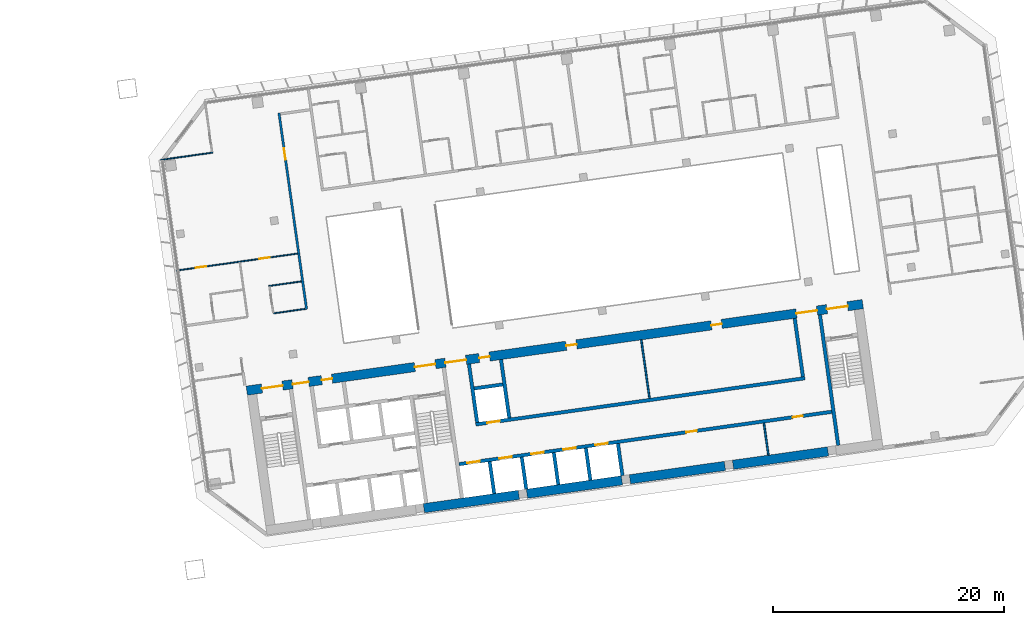
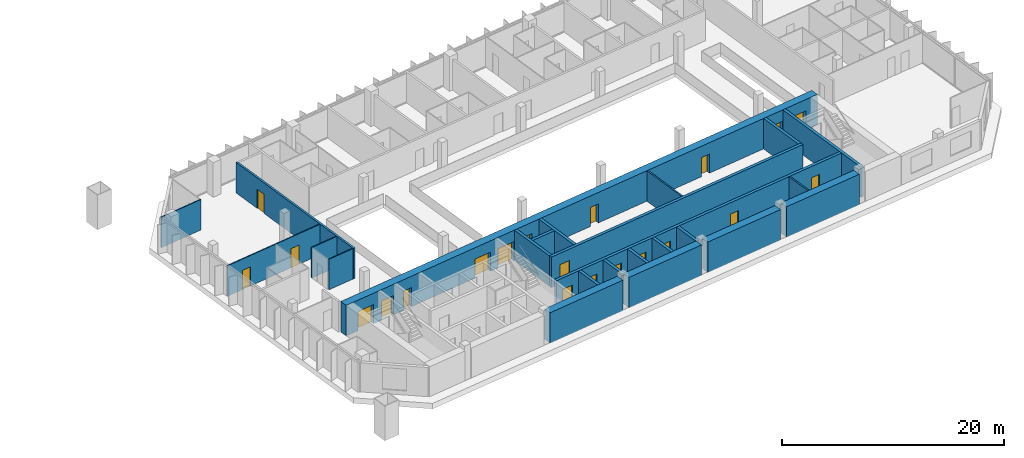
# One storey, part 19 of 24: 24 walls, 21 doors, 21 openings.
"""IFC4 building model written with IfcOpenShell, lengths in metres."""

import ifcopenshell
import ifcopenshell.guid

model = None  # the IFC model being written
_history = None  # IfcOwnerHistory: only IFC2X3 demands one
_inside = {}  # id of a spatial element -> (the spatial element, [elements in it])
_under = {}  # id of a project, library or spatial element -> (it, [spatial elements below it])
_declared = {}  # id of a project -> (the project, [libraries it declares])
_typed = {}  # id of a type object -> (the type object, [elements of that type])
_made_of = {}  # id of a material, layer set ... -> (it, [elements and type objects made of it])


def new_model(schema):
    """Start an empty IFC model of exactly this schema.

    Asked for "IFC4X3", IfcOpenShell would pick the latest addendum, in which some entities
    have other attributes; the version numbers below select the first issue.
    IFC2X3 requires an IfcOwnerHistory on every rooted entity: one is made here for all.
    """
    global model, _history
    if schema == "IFC4X3":
        model = ifcopenshell.file(schema_version=(4, 3, 0, 0))
    else:
        model = ifcopenshell.file(schema=schema)
    _inside.clear()
    _under.clear()
    _declared.clear()
    _typed.clear()
    _made_of.clear()
    _history = None
    if model.schema == "IFC2X3":
        org = make("IfcOrganization", Name="unknown")
        user = make(
            "IfcPersonAndOrganization",
            ThePerson=make("IfcPerson", FamilyName="unknown"),
            TheOrganization=org,
        )
        app = make(
            "IfcApplication",
            ApplicationDeveloper=org,
            Version="unknown",
            ApplicationFullName="unknown",
            ApplicationIdentifier="unknown",
        )
        _history = make(
            "IfcOwnerHistory",
            OwningUser=user,
            OwningApplication=app,
            ChangeAction="ADDED",
            CreationDate=0,
        )
    return model


def make(cls, **values):
    """One entity of the class cls with the attributes given. An attribute that is None is left unset."""
    return model.create_entity(
        cls, **{name: value for name, value in values.items() if value is not None}
    )


def rooted(cls, **values):
    """An entity with a GlobalId (a new one), such as an element, a storey or a relation."""
    return make(cls, GlobalId=ifcopenshell.guid.new(), OwnerHistory=_history, **values)


def si_unit(unit_type, name, prefix=None):
    """IfcSIUnit, for example si_unit("LENGTHUNIT", "METRE", prefix="MILLI")."""
    return make("IfcSIUnit", UnitType=unit_type, Prefix=prefix, Name=name)


def assignment(units):
    """IfcUnitAssignment: the units of a project."""
    return None if units is None else make("IfcUnitAssignment", Units=units)


def point(xyz):
    """IfcCartesianPoint."""
    return None if xyz is None else make("IfcCartesianPoint", Coordinates=xyz)


def direction(xyz):
    """IfcDirection."""
    return None if xyz is None else make("IfcDirection", DirectionRatios=xyz)


def frame(location, z_axis=None, x_axis=None):
    """IfcAxis2Placement3D, a coordinate frame: its origin and axes. An axis left out is left unset."""
    return make(
        "IfcAxis2Placement3D",
        Location=point(location),
        Axis=direction(z_axis),
        RefDirection=direction(x_axis),
    )


def frame_2d(location, x_axis=None):
    """IfcAxis2Placement2D, a coordinate frame in the plane: its origin and x axis."""
    return make(
        "IfcAxis2Placement2D", Location=point(location), RefDirection=direction(x_axis)
    )


def origin():
    """The frame at (0, 0, 0) with its axes left unset."""
    return frame((0.0, 0.0, 0.0))


def place(relative_to, where):
    """IfcLocalPlacement: puts the frame where relative to a parent placement (None: the world)."""
    return make(
        "IfcLocalPlacement", PlacementRelTo=relative_to, RelativePlacement=where
    )


def context(
    kind, dimensions, precision=None, world=None, true_north=None, identifier=None
):
    """IfcGeometricRepresentationContext, for example the 3D "Model" context."""
    return make(
        "IfcGeometricRepresentationContext",
        ContextIdentifier=identifier,
        ContextType=kind,
        CoordinateSpaceDimension=dimensions,
        Precision=precision,
        WorldCoordinateSystem=world,
        TrueNorth=true_north,
    )


def subcontext(parent, identifier, kind, view, scale=None):
    """IfcGeometricRepresentationSubContext, for example "Body" below "Model"."""
    return make(
        "IfcGeometricRepresentationSubContext",
        ContextIdentifier=identifier,
        ContextType=kind,
        ParentContext=parent,
        TargetScale=scale,
        TargetView=view,
    )


def project(units=None, contexts=None):
    """IfcProject with its units and contexts."""
    return rooted(
        "IfcProject",
        Name="project",
        RepresentationContexts=contexts,
        UnitsInContext=assignment(units),
    )


def spatial(cls, under=None, at=None, **own):
    """A site, building, storey or space (cls), placed at a placement, below another one or the project."""
    s = rooted(cls, ObjectPlacement=at, **own)
    if under is not None:
        _under.setdefault(under.id(), (under, []))[1].append(s)
    return s


def profile(cls, at=None, kind="AREA", **sizes):
    """A parametric profile (cls). Its sizes go by their IFC names, for example OverallWidth=200.0."""
    return make(cls, ProfileType=kind, Position=at, **sizes)


def rectangle(**sizes):
    """IfcRectangleProfileDef."""
    return profile("IfcRectangleProfileDef", **sizes)


def extrude(swept, where, along, depth):
    """IfcExtrudedAreaSolid: the profile swept, set in the frame where, extruded along a direction by depth."""
    return make(
        "IfcExtrudedAreaSolid",
        SweptArea=swept,
        Position=where,
        ExtrudedDirection=direction(along),
        Depth=depth,
    )


def shape(context_of_items, identifier, shape_type, items):
    """IfcShapeRepresentation: the items that make up one representation, for example the "Body"."""
    return make(
        "IfcShapeRepresentation",
        ContextOfItems=context_of_items,
        RepresentationIdentifier=identifier,
        RepresentationType=shape_type,
        Items=items,
    )


def material(Name=None, Category=None):
    """IfcMaterial."""
    return make("IfcMaterial", Name=Name, Category=Category)


def layer(
    of_material, thickness, ventilated=None, Name=None, Category=None, Priority=None
):
    """IfcMaterialLayer: one layer of a wall or slab, of a material (None: an air gap)."""
    return make(
        "IfcMaterialLayer",
        Material=of_material,
        LayerThickness=thickness,
        IsVentilated=ventilated,
        Name=Name,
        Category=Category,
        Priority=Priority,
    )


def layer_set(layers, Name=None):
    """IfcMaterialLayerSet."""
    return make("IfcMaterialLayerSet", MaterialLayers=layers, LayerSetName=Name)


def made_of(thing, what):
    """Note that an element or type object is made of a material, layer set ...; save() writes the relation."""
    if what is not None:
        _made_of.setdefault(what.id(), (what, []))[1].append(thing)
    return thing


def type_object(cls, material=None, **own):
    """A type object (cls), such as IfcWallType, which elements share."""
    return made_of(rooted(cls, **own), material)


def element(
    cls,
    number,
    at=None,
    inside=None,
    cuts=None,
    type_object=None,
    material=None,
    context=None,
    identifier="Body",
    shape_type=None,
    held_by="IfcProductDefinitionShape",
    body=None,
    shapes=None,
    **own,
):
    """One element of the class cls, such as IfcWall. Its Tag is "e" and its number.

    at: its placement. inside: the storey or other place that contains it. cuts: it is an
    opening in that element (IfcRelVoidsElement). A single representation is given by context,
    identifier, shape_type and body (its items); several are given by shapes. held_by: the class
    of the entity that holds the representations. save() writes the other relations.
    """
    e = rooted(cls, Tag="e%d" % number, ObjectPlacement=at, **own)
    if body is not None:
        shapes = [shape(context, identifier, shape_type, body)]
    if shapes is not None:
        e.Representation = make(held_by, Representations=shapes)
    if inside is not None:
        _inside.setdefault(inside.id(), (inside, []))[1].append(e)
    if cuts is not None:
        rooted(
            "IfcRelVoidsElement", RelatingBuildingElement=cuts, RelatedOpeningElement=e
        )
    if type_object is not None:
        _typed.setdefault(type_object.id(), (type_object, []))[1].append(e)
    return made_of(e, material)


def fill(opening, filler):
    """IfcRelFillsElement: the door or window that sits in an opening."""
    return rooted(
        "IfcRelFillsElement",
        RelatingOpeningElement=opening,
        RelatedBuildingElement=filler,
    )


def aggregate(whole, parts):
    """IfcRelAggregates: a whole, such as a stair, and the parts it consists of."""
    return rooted("IfcRelAggregates", RelatingObject=whole, RelatedObjects=parts)


def save(model, path):
    """Write the relations noted so far, then the file.

    IfcRelAggregates (storeys below a building ...), IfcRelContainedInSpatialStructure (elements
    in a storey), IfcRelDefinesByType, IfcRelAssociatesMaterial and IfcRelDeclares: one each for
    every whole, place, type object, material and project.
    """
    for whole, parts in _under.values():
        aggregate(whole, parts)
    for where, things in _inside.values():
        rooted(
            "IfcRelContainedInSpatialStructure",
            RelatedElements=things,
            RelatingStructure=where,
        )
    for kind, things in _typed.values():
        rooted("IfcRelDefinesByType", RelatedObjects=things, RelatingType=kind)
    for what, things in _made_of.values():
        rooted("IfcRelAssociatesMaterial", RelatedObjects=things, RelatingMaterial=what)
    for by, libraries in _declared.values():
        rooted("IfcRelDeclares", RelatingContext=by, RelatedDefinitions=libraries)
    model.write(path)


model = new_model("IFC4")

# Units and contexts
model_context = context("Model", 3, precision=1e-05, world=origin(), true_north=direction((0.0, 1.0)))
body_context = subcontext(model_context, "Body", "Model", "MODEL_VIEW")
ifc_project = project(units=[si_unit("LENGTHUNIT", "METRE"), si_unit("AREAUNIT", "SQUARE_METRE"), si_unit("VOLUMEUNIT", "CUBIC_METRE"), si_unit("PLANEANGLEUNIT", "RADIAN"), si_unit("MASSUNIT", "GRAM", prefix="KILO")], contexts=[model_context])

# Site, building, storey
site_placement = place(None, origin())
site = spatial("IfcSite", under=ifc_project, at=site_placement, CompositionType="ELEMENT")
building_placement = place(site_placement, origin())
building = spatial("IfcBuilding", under=site, at=building_placement, Name="Mirante Cascada Hotel Towers", CompositionType="ELEMENT")
storey_placement = place(building_placement, frame((0.0, 0.0, 110.1)))
storey = spatial("IfcBuildingStorey", under=building, at=storey_placement, Name="L24", CompositionType="ELEMENT", Elevation=110.1)

# Wall, opening, door
ifc_material_1 = material(Name="Fire-rated plasterboard on metal studs")
ifc_layer_1 = layer(ifc_material_1, 0.2)
ifc_layer_set_1 = layer_set([ifc_layer_1], Name="Compartment wall 200 EI 120")
wall_type_1 = type_object("IfcWallType", Name="Compartment wall 200 EI 120", PredefinedType="PARTITIONING", material=ifc_layer_set_1)
wall_1_placement = place(storey_placement, frame((38.216, 16.4227, 0.0), z_axis=(0.0, 0.0, 1.0), x_axis=(0.139172, -0.9902682, 0.0)))
wall_1 = element("IfcWall", 1, at=wall_1_placement, inside=storey, type_object=wall_type_1, Name="Wall 2-L24-38", PredefinedType="PARTITIONING", context=body_context, shape_type="SweptSolid", body=[
    extrude(rectangle(XDim=17.15, YDim=0.2, at=frame_2d((8.575, 0.0))), origin(), (0.0, 0.0, 1.0), 3.35),
])
opening_1_placement = place(wall_1_placement, frame((3.1, 0.0, 0.0)))
opening_1 = element("IfcOpeningElement", 2, at=opening_1_placement, cuts=wall_1, Name="Opening D2-L24-31", PredefinedType="OPENING", context=body_context, shape_type="SweptSolid", body=[
    extrude(rectangle(XDim=1.0, YDim=2.1, at=frame_2d((0.5, 1.05))), frame((0.0, 0.1, 0.0), z_axis=(0.0, -1.0, 0.0), x_axis=(1.0, 0.0, 0.0)), (0.0, 0.0, 1.0), 0.2),
])
ifc_material_2 = material(Name="Fire-rated timber door leaf", Category="wood")
door_type_1 = type_object("IfcDoorType", Name="Entrance door DG1 1000x2100 EI 60", OperationType="SINGLE_SWING_LEFT", PredefinedType="DOOR", material=ifc_material_2)
door_1_placement = place(opening_1_placement, frame((1.0, 0.0, 0.0), z_axis=(0.0, 0.0, 1.0), x_axis=(-1.0, 0.0, 0.0)))
door_1 = element("IfcDoor", 3, at=door_1_placement, inside=storey, type_object=door_type_1, Name="Door D2-L24-31", OperationType="SINGLE_SWING_RIGHT", OverallHeight=2.1, OverallWidth=1.0, PredefinedType="DOOR", context=body_context, shape_type="SweptSolid", body=[
    extrude(rectangle(XDim=1.0, YDim=2.1, at=frame_2d((0.5, 1.05))), frame((0.0, 0.025, 0.0), z_axis=(0.0, -1.0, 0.0), x_axis=(1.0, 0.0, 0.0)), (0.0, 0.0, 1.0), 0.05),
])
fill(opening_1, door_1)

# Walls
ifc_material_3 = material(Name="Masonry block", Category="masonry")
ifc_layer_2 = layer(ifc_material_3, 0.15)
ifc_layer_set_2 = layer_set([ifc_layer_2], Name="Core room partition 150 block EI 30")
wall_type_2 = type_object("IfcWallType", Name="Core room partition 150 block EI 30", PredefinedType="PARTITIONING", material=ifc_layer_set_2)
wall_2_placement = place(storey_placement, frame((80.547, -13.174, 0.0), z_axis=(0.0, 0.0, 1.0), x_axis=(-0.139176, 0.9902677, 0.0)))
element("IfcWall", 4, at=wall_2_placement, inside=storey, type_object=wall_type_2, Name="Core wall partition T2 L24 4", PredefinedType="PARTITIONING", context=body_context, shape_type="SweptSolid", body=[
    extrude(rectangle(XDim=2.8001, YDim=0.15, at=frame_2d((1.4, 0.0))), origin(), (0.0, 0.0, 1.0), 3.35),
])
wall_3_placement = place(storey_placement, frame((70.2627, -8.2574, 0.0), z_axis=(0.0, 0.0, 1.0), x_axis=(-0.1391755, 0.9902677, 0.0)))
element("IfcWall", 5, at=wall_3_placement, inside=storey, type_object=wall_type_2, Name="Core wall partition T2 L24 5", PredefinedType="PARTITIONING", context=body_context, shape_type="SweptSolid", body=[
    extrude(rectangle(XDim=5.1, YDim=0.15, at=frame_2d((2.55, 0.0))), origin(), (0.0, 0.0, 1.0), 3.35),
])
ifc_material_4 = material(Name="Plasterboard on metal studs")
ifc_layer_3 = layer(ifc_material_4, 0.1)
ifc_layer_set_3 = layer_set([ifc_layer_3], Name="Partition 100")
wall_type_3 = type_object("IfcWallType", Name="Partition 100", PredefinedType="PARTITIONING", material=ifc_layer_set_3)
wall_4_placement = place(storey_placement, frame((40.4671, -0.5289, 0.0), z_axis=(0.0, 0.0, 1.0), x_axis=(-0.9902645, -0.1391984, 0.0)))
element("IfcWall", 6, at=wall_4_placement, inside=storey, type_object=wall_type_3, Name="Wall 2-L24-10", PredefinedType="PARTITIONING", context=body_context, shape_type="SweptSolid", body=[
    extrude(rectangle(XDim=2.74, YDim=0.1, at=frame_2d((1.37, 0.0))), origin(), (0.0, 0.0, 1.0), 3.35),
])
wall_5_placement = place(storey_placement, frame((37.3406, 1.4552, 0.0), z_axis=(0.0, 0.0, 1.0), x_axis=(0.9902649, 0.1391957, 0.0)))
element("IfcWall", 7, at=wall_5_placement, inside=storey, type_object=wall_type_3, Name="Wall 2-L24-13", PredefinedType="PARTITIONING", context=body_context, shape_type="SweptSolid", body=[
    extrude(rectangle(XDim=2.8499, YDim=0.1, at=frame_2d((1.425, 0.0))), origin(), (0.0, 0.0, 1.0), 3.35),
])

# Wall, openings, doors
wall_6_placement = place(storey_placement, frame((39.8242, 4.2615, 0.0), z_axis=(0.0, 0.0, 1.0), x_axis=(-0.9902686, -0.1391691, 0.0)))
wall_6 = element("IfcWall", 8, at=wall_6_placement, inside=storey, type_object=wall_type_3, Name="Wall 2-L24-16", PredefinedType="PARTITIONING", context=body_context, shape_type="SweptSolid", body=[
    extrude(rectangle(XDim=10.6001, YDim=0.1, at=frame_2d((5.3, 0.0))), origin(), (0.0, 0.0, 1.0), 3.35),
])
opening_2_placement = place(wall_6_placement, frame((7.975, 0.0, 0.0)))
opening_2 = element("IfcOpeningElement", 9, at=opening_2_placement, cuts=wall_6, Name="Opening D2-L24-05", PredefinedType="OPENING", context=body_context, shape_type="SweptSolid", body=[
    extrude(rectangle(XDim=0.9, YDim=2.1, at=frame_2d((0.45, 1.05))), frame((0.0, 0.05, 0.0), z_axis=(0.0, -1.0, 0.0), x_axis=(1.0, 0.0, 0.0)), (0.0, 0.0, 1.0), 0.1),
])
opening_3_placement = place(wall_6_placement, frame((2.425, 0.0, 0.0)))
opening_3 = element("IfcOpeningElement", 10, at=opening_3_placement, cuts=wall_6, Name="Opening D2-L24-06", PredefinedType="OPENING", context=body_context, shape_type="SweptSolid", body=[
    extrude(rectangle(XDim=0.9, YDim=2.1, at=frame_2d((0.45, 1.05))), frame((0.0, 0.05, 0.0), z_axis=(0.0, -1.0, 0.0), x_axis=(1.0, 0.0, 0.0)), (0.0, 0.0, 1.0), 0.1),
])
ifc_material_5 = material(Name="Timber door leaf", Category="wood")
door_type_2 = type_object("IfcDoorType", Name="Room door DG3 900x2100", OperationType="SINGLE_SWING_LEFT", PredefinedType="DOOR", material=ifc_material_5)
door_2_placement = place(opening_2_placement, frame((0.9, 0.0, 0.0), z_axis=(0.0, 0.0, 1.0), x_axis=(-1.0, 0.0, 0.0)))
door_2 = element("IfcDoor", 11, at=door_2_placement, inside=storey, type_object=door_type_2, Name="Door D2-L24-05", OperationType="SINGLE_SWING_RIGHT", OverallHeight=2.1, OverallWidth=0.9, PredefinedType="DOOR", context=body_context, shape_type="SweptSolid", body=[
    extrude(rectangle(XDim=0.9, YDim=2.1, at=frame_2d((0.45, 1.05))), frame((0.0, 0.025, 0.0), z_axis=(0.0, -1.0, 0.0), x_axis=(1.0, 0.0, 0.0)), (0.0, 0.0, 1.0), 0.05),
])
fill(opening_2, door_2)
door_3_placement = place(opening_3_placement, frame((0.9, 0.0, 0.0), z_axis=(0.0, 0.0, 1.0), x_axis=(-1.0, 0.0, 0.0)))
door_3 = element("IfcDoor", 12, at=door_3_placement, inside=storey, type_object=door_type_2, Name="Door D2-L24-06", OperationType="SINGLE_SWING_RIGHT", OverallHeight=2.1, OverallWidth=0.9, PredefinedType="DOOR", context=body_context, shape_type="SweptSolid", body=[
    extrude(rectangle(XDim=0.9, YDim=2.1, at=frame_2d((0.45, 1.05))), frame((0.0, 0.025, 0.0), z_axis=(0.0, -1.0, 0.0), x_axis=(1.0, 0.0, 0.0)), (0.0, 0.0, 1.0), 0.05),
])
fill(opening_3, door_3)

# Walls
wall_7_placement = place(storey_placement, frame((27.982, 12.3589, 0.0), z_axis=(0.0, 0.0, 1.0), x_axis=(0.9902691, 0.1391656, 0.0)))
element("IfcWall", 13, at=wall_7_placement, inside=storey, type_object=wall_type_3, Name="Wall 2-L24-25", PredefinedType="PARTITIONING", context=body_context, shape_type="SweptSolid", body=[
    extrude(rectangle(XDim=4.55, YDim=0.1, at=frame_2d((2.275, 0.0))), origin(), (0.0, 0.0, 1.0), 3.35),
])
ifc_material_6 = material(Name="Concrete C50/60", Category="concrete")
ifc_layer_4 = layer(ifc_material_6, 0.3)
ifc_layer_set_4 = layer_set([ifc_layer_4], Name="RC core wall 300 C50/60")
wall_type_4 = type_object("IfcWallType", Name="RC core wall 300 C50/60", PredefinedType="SHEAR", material=ifc_layer_set_4)
wall_8_placement = place(storey_placement, frame((86.5877, -12.325, 0.0), z_axis=(0.0, 0.0, 1.0), x_axis=(-0.1391749, 0.9902678, 0.0)))
element("IfcWall", 14, at=wall_8_placement, inside=storey, type_object=wall_type_4, Name="Core wall T2:L24:8", PredefinedType="SHEAR", context=body_context, shape_type="SweptSolid", body=[
    extrude(rectangle(XDim=11.4, YDim=0.3, at=frame_2d((5.7, 0.0))), origin(), (0.0, 0.0, 1.0), 3.35),
])

# Wall, openings, doors
wall_9_placement = place(storey_placement, frame((53.7953, -13.9547, 0.0), z_axis=(0.0, 0.0, 1.0), x_axis=(0.990268, 0.1391733, 0.0)))
wall_9 = element("IfcWall", 15, at=wall_9_placement, inside=storey, type_object=wall_type_4, Name="Core wall T2:L24:24", PredefinedType="SHEAR", context=body_context, shape_type="SweptSolid", body=[
    extrude(rectangle(XDim=32.5501, YDim=0.3, at=frame_2d((16.275, 0.0))), origin(), (0.0, 0.0, 1.0), 3.35),
])
opening_4_placement = place(wall_9_placement, frame((0.7, 0.0, 0.0)))
opening_4 = element("IfcOpeningElement", 16, at=opening_4_placement, cuts=wall_9, Name="Opening LD", PredefinedType="OPENING", context=body_context, shape_type="SweptSolid", body=[
    extrude(rectangle(XDim=1.1, YDim=2.1, at=frame_2d((0.55, 1.05))), frame((0.0, 0.15, 0.0), z_axis=(0.0, -1.0, 0.0), x_axis=(1.0, 0.0, 0.0)), (0.0, 0.0, 1.0), 0.3),
])
opening_5_placement = place(wall_9_placement, frame((3.5, 0.0, 0.0)))
opening_5 = element("IfcOpeningElement", 17, at=opening_5_placement, cuts=wall_9, Name="Opening LD", PredefinedType="OPENING", context=body_context, shape_type="SweptSolid", body=[
    extrude(rectangle(XDim=1.1, YDim=2.1, at=frame_2d((0.55, 1.05))), frame((0.0, 0.15, 0.0), z_axis=(0.0, -1.0, 0.0), x_axis=(1.0, 0.0, 0.0)), (0.0, 0.0, 1.0), 0.3),
])
opening_6_placement = place(wall_9_placement, frame((6.3, 0.0, 0.0)))
opening_6 = element("IfcOpeningElement", 18, at=opening_6_placement, cuts=wall_9, Name="Opening LD", PredefinedType="OPENING", context=body_context, shape_type="SweptSolid", body=[
    extrude(rectangle(XDim=1.1, YDim=2.1, at=frame_2d((0.55, 1.05))), frame((0.0, 0.15, 0.0), z_axis=(0.0, -1.0, 0.0), x_axis=(1.0, 0.0, 0.0)), (0.0, 0.0, 1.0), 0.3),
])
opening_7_placement = place(wall_9_placement, frame((9.1, 0.0, 0.0)))
opening_7 = element("IfcOpeningElement", 19, at=opening_7_placement, cuts=wall_9, Name="Opening LD", PredefinedType="OPENING", context=body_context, shape_type="SweptSolid", body=[
    extrude(rectangle(XDim=1.1, YDim=2.1, at=frame_2d((0.55, 1.05))), frame((0.0, 0.15, 0.0), z_axis=(0.0, -1.0, 0.0), x_axis=(1.0, 0.0, 0.0)), (0.0, 0.0, 1.0), 0.3),
])
opening_8_placement = place(wall_9_placement, frame((11.9, 0.0, 0.0)))
opening_8 = element("IfcOpeningElement", 20, at=opening_8_placement, cuts=wall_9, Name="Opening LD", PredefinedType="OPENING", context=body_context, shape_type="SweptSolid", body=[
    extrude(rectangle(XDim=1.1, YDim=2.1, at=frame_2d((0.55, 1.05))), frame((0.0, 0.15, 0.0), z_axis=(0.0, -1.0, 0.0), x_axis=(1.0, 0.0, 0.0)), (0.0, 0.0, 1.0), 0.3),
])
opening_9_placement = place(wall_9_placement, frame((19.85, 0.0, 0.0)))
opening_9 = element("IfcOpeningElement", 21, at=opening_9_placement, cuts=wall_9, Name="Opening D2-24-C25", PredefinedType="OPENING", context=body_context, shape_type="SweptSolid", body=[
    extrude(rectangle(XDim=0.9, YDim=2.1, at=frame_2d((0.45, 1.05))), frame((0.0, 0.15, 0.0), z_axis=(0.0, -1.0, 0.0), x_axis=(1.0, 0.0, 0.0)), (0.0, 0.0, 1.0), 0.3),
])
opening_10_placement = place(wall_9_placement, frame((29.125, 0.0, 0.0)))
opening_10 = element("IfcOpeningElement", 22, at=opening_10_placement, cuts=wall_9, Name="Opening D2-24-C26", PredefinedType="OPENING", context=body_context, shape_type="SweptSolid", body=[
    extrude(rectangle(XDim=0.9, YDim=2.1, at=frame_2d((0.45, 1.05))), frame((0.0, 0.15, 0.0), z_axis=(0.0, -1.0, 0.0), x_axis=(1.0, 0.0, 0.0)), (0.0, 0.0, 1.0), 0.3),
])
ifc_material_7 = material(Name="Hollow metal fire door leaf")
door_type_3 = type_object("IfcDoorType", Name="Fire door 900x2100 FD60", OperationType="NOTDEFINED", PredefinedType="DOOR", material=ifc_material_7)
door_4_placement = place(opening_9_placement, frame((0.9, 0.0, 0.0), z_axis=(0.0, 0.0, 1.0), x_axis=(-1.0, 0.0, 0.0)))
door_4 = element("IfcDoor", 23, at=door_4_placement, inside=storey, type_object=door_type_3, Name="Room door T2 L24 25", OperationType="SINGLE_SWING_RIGHT", OverallHeight=2.1, OverallWidth=0.9, PredefinedType="DOOR", context=body_context, shape_type="SweptSolid", body=[
    extrude(rectangle(XDim=0.9, YDim=2.1, at=frame_2d((0.45, 1.05))), frame((0.0, 0.025, 0.0), z_axis=(0.0, -1.0, 0.0), x_axis=(1.0, 0.0, 0.0)), (0.0, 0.0, 1.0), 0.05),
])
fill(opening_9, door_4)
door_5_placement = place(opening_10_placement, frame((0.9, 0.0, 0.0), z_axis=(0.0, 0.0, 1.0), x_axis=(-1.0, 0.0, 0.0)))
door_5 = element("IfcDoor", 24, at=door_5_placement, inside=storey, type_object=door_type_3, Name="Room door T2 L24 26", OperationType="SINGLE_SWING_RIGHT", OverallHeight=2.1, OverallWidth=0.9, PredefinedType="DOOR", context=body_context, shape_type="SweptSolid", body=[
    extrude(rectangle(XDim=0.9, YDim=2.1, at=frame_2d((0.45, 1.05))), frame((0.0, 0.025, 0.0), z_axis=(0.0, -1.0, 0.0), x_axis=(1.0, 0.0, 0.0)), (0.0, 0.0, 1.0), 0.05),
])
fill(opening_10, door_5)
ifc_material_8 = material(Name="Stainless steel", Category="steel")
door_type_4 = type_object("IfcDoorType", Name="Lift landing door 1100x2100 EI 120", OperationType="DOUBLE_DOOR_SLIDING", PredefinedType="DOOR", material=ifc_material_8)
door_6_placement = place(opening_4_placement, origin())
door_6 = element("IfcDoor", 25, at=door_6_placement, inside=storey, type_object=door_type_4, Name="Lift landing door LR2-1 L24", OperationType="DOUBLE_DOOR_SLIDING", OverallHeight=2.1, OverallWidth=1.1, PredefinedType="DOOR", context=body_context, shape_type="SweptSolid", body=[
    extrude(rectangle(XDim=0.545, YDim=2.1, at=frame_2d((0.2725, 1.05))), frame((0.0, 0.025, 0.0), z_axis=(0.0, -1.0, 0.0), x_axis=(1.0, 0.0, 0.0)), (0.0, 0.0, 1.0), 0.05),
    extrude(rectangle(XDim=0.545, YDim=2.1, at=frame_2d((0.8275, 1.05))), frame((0.0, 0.025, 0.0), z_axis=(0.0, -1.0, 0.0), x_axis=(1.0, 0.0, 0.0)), (0.0, 0.0, 1.0), 0.05),
])
fill(opening_4, door_6)
door_7_placement = place(opening_5_placement, origin())
door_7 = element("IfcDoor", 26, at=door_7_placement, inside=storey, type_object=door_type_4, Name="Lift landing door LR2-2 L24", OperationType="DOUBLE_DOOR_SLIDING", OverallHeight=2.1, OverallWidth=1.1, PredefinedType="DOOR", context=body_context, shape_type="SweptSolid", body=[
    extrude(rectangle(XDim=0.545, YDim=2.1, at=frame_2d((0.2725, 1.05))), frame((0.0, 0.025, 0.0), z_axis=(0.0, -1.0, 0.0), x_axis=(1.0, 0.0, 0.0)), (0.0, 0.0, 1.0), 0.05),
    extrude(rectangle(XDim=0.545, YDim=2.1, at=frame_2d((0.8275, 1.05))), frame((0.0, 0.025, 0.0), z_axis=(0.0, -1.0, 0.0), x_axis=(1.0, 0.0, 0.0)), (0.0, 0.0, 1.0), 0.05),
])
fill(opening_5, door_7)
door_8_placement = place(opening_6_placement, origin())
door_8 = element("IfcDoor", 27, at=door_8_placement, inside=storey, type_object=door_type_4, Name="Lift landing door SV2-1 L24", OperationType="DOUBLE_DOOR_SLIDING", OverallHeight=2.1, OverallWidth=1.1, PredefinedType="DOOR", context=body_context, shape_type="SweptSolid", body=[
    extrude(rectangle(XDim=0.545, YDim=2.1, at=frame_2d((0.2725, 1.05))), frame((0.0, 0.025, 0.0), z_axis=(0.0, -1.0, 0.0), x_axis=(1.0, 0.0, 0.0)), (0.0, 0.0, 1.0), 0.05),
    extrude(rectangle(XDim=0.545, YDim=2.1, at=frame_2d((0.8275, 1.05))), frame((0.0, 0.025, 0.0), z_axis=(0.0, -1.0, 0.0), x_axis=(1.0, 0.0, 0.0)), (0.0, 0.0, 1.0), 0.05),
])
fill(opening_6, door_8)
door_9_placement = place(opening_7_placement, origin())
door_9 = element("IfcDoor", 28, at=door_9_placement, inside=storey, type_object=door_type_4, Name="Lift landing door SV2-2 L24", OperationType="DOUBLE_DOOR_SLIDING", OverallHeight=2.1, OverallWidth=1.1, PredefinedType="DOOR", context=body_context, shape_type="SweptSolid", body=[
    extrude(rectangle(XDim=0.545, YDim=2.1, at=frame_2d((0.2725, 1.05))), frame((0.0, 0.025, 0.0), z_axis=(0.0, -1.0, 0.0), x_axis=(1.0, 0.0, 0.0)), (0.0, 0.0, 1.0), 0.05),
    extrude(rectangle(XDim=0.545, YDim=2.1, at=frame_2d((0.8275, 1.05))), frame((0.0, 0.025, 0.0), z_axis=(0.0, -1.0, 0.0), x_axis=(1.0, 0.0, 0.0)), (0.0, 0.0, 1.0), 0.05),
])
fill(opening_7, door_9)
door_10_placement = place(opening_8_placement, origin())
door_10 = element("IfcDoor", 29, at=door_10_placement, inside=storey, type_object=door_type_4, Name="Lift landing door SV2-3 L24", OperationType="DOUBLE_DOOR_SLIDING", OverallHeight=2.1, OverallWidth=1.1, PredefinedType="DOOR", context=body_context, shape_type="SweptSolid", body=[
    extrude(rectangle(XDim=0.545, YDim=2.1, at=frame_2d((0.2725, 1.05))), frame((0.0, 0.025, 0.0), z_axis=(0.0, -1.0, 0.0), x_axis=(1.0, 0.0, 0.0)), (0.0, 0.0, 1.0), 0.05),
    extrude(rectangle(XDim=0.545, YDim=2.1, at=frame_2d((0.8275, 1.05))), frame((0.0, 0.025, 0.0), z_axis=(0.0, -1.0, 0.0), x_axis=(1.0, 0.0, 0.0)), (0.0, 0.0, 1.0), 0.05),
])
fill(opening_8, door_10)

# Walls
for number, where, z_axis, x_axis, name in (
    (30, (56.8301, -16.5072, 0.0), (0.0, 0.0, 1.0), (-0.139176, 0.9902677, 0.0), "Core wall T2:L24:25"),
    (31, (59.6029, -16.1175, 0.0), (0.0, 0.0, 1.0), (-0.139176, 0.9902677, 0.0), "Core wall T2:L24:26"),
    (32, (62.3756, -15.7278, 0.0), (0.0, 0.0, 1.0), (-0.139176, 0.9902677, 0.0), "Core wall T2:L24:27"),
    (33, (65.1484, -15.3381, 0.0), (0.0, 0.0, 1.0), (-0.139176, 0.9902677, 0.0), "Core wall T2:L24:28"),
):
    element("IfcWall", number, at=place(storey_placement, frame(where, z_axis=z_axis, x_axis=x_axis)), inside=storey, type_object=wall_type_4, Name=name, PredefinedType="SHEAR", context=body_context, shape_type="SweptSolid", body=[
        extrude(rectangle(XDim=2.8001, YDim=0.3, at=frame_2d((1.4, 0.0))), origin(), (0.0, 0.0, 1.0), 3.35),
    ])
wall_10_placement = place(storey_placement, frame((67.9211, -14.9484, 0.0), z_axis=(0.0, 0.0, 1.0), x_axis=(-0.139181, 0.990267, 0.0)))
element("IfcWall", 34, at=wall_10_placement, inside=storey, type_object=wall_type_4, Name="Core wall T2:L24:29", PredefinedType="SHEAR", context=body_context, shape_type="SweptSolid", body=[
    extrude(rectangle(XDim=2.8, YDim=0.3, at=frame_2d((1.4, 0.0))), origin(), (0.0, 0.0, 1.0), 3.35),
])

# Wall, opening, door
wall_11_placement = place(storey_placement, frame((55.2315, -10.5214, 0.0), z_axis=(0.0, 0.0, 1.0), x_axis=(0.9902682, 0.1391722, 0.0)))
wall_11 = element("IfcWall", 35, at=wall_11_placement, inside=storey, type_object=wall_type_4, Name="Core wall T2:L24:31", PredefinedType="SHEAR", context=body_context, shape_type="SweptSolid", body=[
    extrude(rectangle(XDim=28.75, YDim=0.3, at=frame_2d((14.375, 0.0))), origin(), (0.0, 0.0, 1.0), 3.35),
])
opening_11_placement = place(wall_11_placement, frame((1.0, 0.0, 0.0)))
opening_11 = element("IfcOpeningElement", 36, at=opening_11_placement, cuts=wall_11, Name="Opening LD", PredefinedType="OPENING", context=body_context, shape_type="SweptSolid", body=[
    extrude(rectangle(XDim=1.1, YDim=2.1, at=frame_2d((0.55, 1.05))), frame((0.0, 0.15, 0.0), z_axis=(0.0, -1.0, 0.0), x_axis=(1.0, 0.0, 0.0)), (0.0, 0.0, 1.0), 0.3),
])
door_11_placement = place(opening_11_placement, origin())
door_11 = element("IfcDoor", 37, at=door_11_placement, inside=storey, type_object=door_type_4, Name="Lift landing door LR2-3 L24", OperationType="DOUBLE_DOOR_SLIDING", OverallHeight=2.1, OverallWidth=1.1, PredefinedType="DOOR", context=body_context, shape_type="SweptSolid", body=[
    extrude(rectangle(XDim=0.545, YDim=2.1, at=frame_2d((0.2725, 1.05))), frame((0.0, 0.025, 0.0), z_axis=(0.0, -1.0, 0.0), x_axis=(1.0, 0.0, 0.0)), (0.0, 0.0, 1.0), 0.05),
    extrude(rectangle(XDim=0.545, YDim=2.1, at=frame_2d((0.8275, 1.05))), frame((0.0, 0.025, 0.0), z_axis=(0.0, -1.0, 0.0), x_axis=(1.0, 0.0, 0.0)), (0.0, 0.0, 1.0), 0.05),
])
fill(opening_11, door_11)

# Walls
for number, where, z_axis, x_axis, name in (
    (38, (55.3592, -10.352, 0.0), (0.0, 0.0, 1.0), (-0.1391755, 0.9902677, 0.0), "Core wall T2:L24:32"),
    (39, (83.5323, -6.3925, 0.0), (0.0, 0.0, 1.0), (-0.1391755, 0.9902677, 0.0), "Core wall T2:L24:33"),
    (40, (58.1319, -9.9623, 0.0), (0.0, 0.0, 1.0), (-0.1391755, 0.9902677, 0.0), "Core wall T2:L24:34"),
):
    element("IfcWall", number, at=place(storey_placement, frame(where, z_axis=z_axis, x_axis=x_axis)), inside=storey, type_object=wall_type_4, Name=name, PredefinedType="SHEAR", context=body_context, shape_type="SweptSolid", body=[
        extrude(rectangle(XDim=5.1, YDim=0.3, at=frame_2d((2.55, 0.0))), origin(), (0.0, 0.0, 1.0), 3.35),
    ])
wall_12_placement = place(storey_placement, frame((55.0971, -7.4098, 0.0), z_axis=(0.0, 0.0, 1.0), x_axis=(0.9902701, 0.1391586, 0.0)))
element("IfcWall", 41, at=wall_12_placement, inside=storey, type_object=wall_type_4, Name="Core wall T2:L24:35", PredefinedType="SHEAR", context=body_context, shape_type="SweptSolid", body=[
    extrude(rectangle(XDim=2.5, YDim=0.3, at=frame_2d((1.25, 0.0))), origin(), (0.0, 0.0, 1.0), 3.35),
])
ifc_material_9 = material(Name="Concrete C50/60", Category="concrete")
ifc_layer_5 = layer(ifc_material_9, 0.8)
ifc_layer_set_5 = layer_set([ifc_layer_5], Name="RC core wall 800 C50/60")
wall_type_5 = type_object("IfcWallType", Name="RC core wall 800 C50/60", PredefinedType="SHEAR", material=ifc_layer_set_5)
wall_13_placement = place(storey_placement, frame((50.7461, -17.7661, 0.0), z_axis=(0.0, 0.0, 1.0), x_axis=(0.9902686, 0.1391692, 0.0)))
element("IfcWall", 42, at=wall_13_placement, inside=storey, type_object=wall_type_5, Name="Core wall T2:L24:1.3", PredefinedType="SHEAR", context=body_context, shape_type="SweptSolid", body=[
    extrude(rectangle(XDim=8.3, YDim=0.8, at=frame_2d((4.15, 0.0))), origin(), (0.0, 0.0, 1.0), 3.35),
])
for number, where, z_axis, x_axis, name in (
    (43, (59.6585, -16.5136, 0.0), (0.0, 0.0, 1.0), (0.9902672, 0.1391793, 0.0), "Core wall T2:L24:1.4"),
    (44, (68.5709, -15.261, 0.0), (0.0, 0.0, 1.0), (0.9902689, 0.1391675, 0.0), "Core wall T2:L24:1.5"),
):
    element("IfcWall", number, at=place(storey_placement, frame(where, z_axis=z_axis, x_axis=x_axis)), inside=storey, type_object=wall_type_5, Name=name, PredefinedType="SHEAR", context=body_context, shape_type="SweptSolid", body=[
        extrude(rectangle(XDim=8.3001, YDim=0.8, at=frame_2d((4.15, 0.0))), origin(), (0.0, 0.0, 1.0), 3.35),
    ])
wall_14_placement = place(storey_placement, frame((77.4834, -14.0085, 0.0), z_axis=(0.0, 0.0, 1.0), x_axis=(0.990267, 0.139181, 0.0)))
element("IfcWall", 45, at=wall_14_placement, inside=storey, type_object=wall_type_5, Name="Core wall T2:L24:1.6", PredefinedType="SHEAR", context=body_context, shape_type="SweptSolid", body=[
    extrude(rectangle(XDim=8.3, YDim=0.8, at=frame_2d((4.15, 0.0))), origin(), (0.0, 0.0, 1.0), 3.35),
])

# Wall, openings, doors
wall_15_placement = place(storey_placement, frame((35.432, -7.5985, 0.0), z_axis=(0.0, 0.0, 1.0), x_axis=(0.9902681, 0.1391729, 0.0)))
wall_15 = element("IfcWall", 46, at=wall_15_placement, inside=storey, type_object=wall_type_5, Name="Core wall T2:L24:2", PredefinedType="SHEAR", context=body_context, shape_type="SweptSolid", body=[
    extrude(rectangle(XDim=53.8, YDim=0.8, at=frame_2d((26.9, 0.0))), origin(), (0.0, 0.0, 1.0), 3.35),
])
opening_12_placement = place(wall_15_placement, frame((1.325, 0.0, 0.0)))
opening_12 = element("IfcOpeningElement", 47, at=opening_12_placement, cuts=wall_15, Name="Opening D2-24-C14", PredefinedType="OPENING", context=body_context, shape_type="SweptSolid", body=[
    extrude(rectangle(XDim=1.8, YDim=2.1, at=frame_2d((0.9, 1.05))), frame((0.0, 0.4, 0.0), z_axis=(0.0, -1.0, 0.0), x_axis=(1.0, 0.0, 0.0)), (0.0, 0.0, 1.0), 0.8),
])
opening_13_placement = place(wall_15_placement, frame((14.675, 0.0, 0.0)))
opening_13 = element("IfcOpeningElement", 48, at=opening_13_placement, cuts=wall_15, Name="Opening D2-24-C16", PredefinedType="OPENING", context=body_context, shape_type="SweptSolid", body=[
    extrude(rectangle(XDim=1.8, YDim=2.1, at=frame_2d((0.9, 1.05))), frame((0.0, 0.4, 0.0), z_axis=(0.0, -1.0, 0.0), x_axis=(1.0, 0.0, 0.0)), (0.0, 0.0, 1.0), 0.8),
])
opening_14_placement = place(wall_15_placement, frame((50.675, 0.0, 0.0)))
opening_14 = element("IfcOpeningElement", 49, at=opening_14_placement, cuts=wall_15, Name="Opening D2-24-C18", PredefinedType="OPENING", context=body_context, shape_type="SweptSolid", body=[
    extrude(rectangle(XDim=1.8, YDim=2.1, at=frame_2d((0.9, 1.05))), frame((0.0, 0.4, 0.0), z_axis=(0.0, -1.0, 0.0), x_axis=(1.0, 0.0, 0.0)), (0.0, 0.0, 1.0), 0.8),
])
opening_15_placement = place(wall_15_placement, frame((4.0, 0.0, 0.0)))
opening_15 = element("IfcOpeningElement", 50, at=opening_15_placement, cuts=wall_15, Name="Opening D2-24-C19", PredefinedType="OPENING", context=body_context, shape_type="SweptSolid", body=[
    extrude(rectangle(XDim=1.4, YDim=2.1, at=frame_2d((0.7, 1.05))), frame((0.0, 0.4, 0.0), z_axis=(0.0, -1.0, 0.0), x_axis=(1.0, 0.0, 0.0)), (0.0, 0.0, 1.0), 0.8),
])
opening_16_placement = place(wall_15_placement, frame((17.35, 0.0, 0.0)))
opening_16 = element("IfcOpeningElement", 51, at=opening_16_placement, cuts=wall_15, Name="Opening D2-24-C20", PredefinedType="OPENING", context=body_context, shape_type="SweptSolid", body=[
    extrude(rectangle(XDim=1.8, YDim=2.1, at=frame_2d((0.9, 1.05))), frame((0.0, 0.4, 0.0), z_axis=(0.0, -1.0, 0.0), x_axis=(1.0, 0.0, 0.0)), (0.0, 0.0, 1.0), 0.8),
])
opening_17_placement = place(wall_15_placement, frame((48.0, 0.0, 0.0)))
opening_17 = element("IfcOpeningElement", 52, at=opening_17_placement, cuts=wall_15, Name="Opening D2-24-C21", PredefinedType="OPENING", context=body_context, shape_type="SweptSolid", body=[
    extrude(rectangle(XDim=1.8, YDim=2.1, at=frame_2d((0.9, 1.05))), frame((0.0, 0.4, 0.0), z_axis=(0.0, -1.0, 0.0), x_axis=(1.0, 0.0, 0.0)), (0.0, 0.0, 1.0), 0.8),
])
opening_18_placement = place(wall_15_placement, frame((6.55, 0.0, 0.0)))
opening_18 = element("IfcOpeningElement", 53, at=opening_18_placement, cuts=wall_15, Name="Opening D2-24-C24", PredefinedType="OPENING", context=body_context, shape_type="SweptSolid", body=[
    extrude(rectangle(XDim=0.9, YDim=2.1, at=frame_2d((0.45, 1.05))), frame((0.0, 0.4, 0.0), z_axis=(0.0, -1.0, 0.0), x_axis=(1.0, 0.0, 0.0)), (0.0, 0.0, 1.0), 0.8),
])
opening_19_placement = place(wall_15_placement, frame((20.3, 0.0, 0.0)))
opening_19 = element("IfcOpeningElement", 54, at=opening_19_placement, cuts=wall_15, Name="Opening D2-24-C27", PredefinedType="OPENING", context=body_context, shape_type="SweptSolid", body=[
    extrude(rectangle(XDim=0.9, YDim=2.1, at=frame_2d((0.45, 1.05))), frame((0.0, 0.4, 0.0), z_axis=(0.0, -1.0, 0.0), x_axis=(1.0, 0.0, 0.0)), (0.0, 0.0, 1.0), 0.8),
])
opening_20_placement = place(wall_15_placement, frame((27.9, 0.0, 0.0)))
opening_20 = element("IfcOpeningElement", 55, at=opening_20_placement, cuts=wall_15, Name="Opening D2-24-C28", PredefinedType="OPENING", context=body_context, shape_type="SweptSolid", body=[
    extrude(rectangle(XDim=0.9, YDim=2.1, at=frame_2d((0.45, 1.05))), frame((0.0, 0.4, 0.0), z_axis=(0.0, -1.0, 0.0), x_axis=(1.0, 0.0, 0.0)), (0.0, 0.0, 1.0), 0.8),
])
opening_21_placement = place(wall_15_placement, frame((40.575, 0.0, 0.0)))
opening_21 = element("IfcOpeningElement", 56, at=opening_21_placement, cuts=wall_15, Name="Opening D2-24-C29", PredefinedType="OPENING", context=body_context, shape_type="SweptSolid", body=[
    extrude(rectangle(XDim=0.9, YDim=2.1, at=frame_2d((0.45, 1.05))), frame((0.0, 0.4, 0.0), z_axis=(0.0, -1.0, 0.0), x_axis=(1.0, 0.0, 0.0)), (0.0, 0.0, 1.0), 0.8),
])
ifc_material_10 = material(Name="Hollow metal fire door leaf")
door_type_5 = type_object("IfcDoorType", Name="Double fire door 1400x2100 FD60", OperationType="DOUBLE_DOOR_SINGLE_SWING", PredefinedType="DOOR", material=ifc_material_10)
door_12_placement = place(opening_15_placement, origin())
door_12 = element("IfcDoor", 57, at=door_12_placement, inside=storey, type_object=door_type_5, Name="Exit door to gallery T2 L24 19", OperationType="DOUBLE_DOOR_SINGLE_SWING", OverallHeight=2.1, OverallWidth=1.4, PredefinedType="DOOR", context=body_context, shape_type="SweptSolid", body=[
    extrude(rectangle(XDim=0.695, YDim=2.1, at=frame_2d((0.3475, 1.05))), frame((0.0, 0.025, 0.0), z_axis=(0.0, -1.0, 0.0), x_axis=(1.0, 0.0, 0.0)), (0.0, 0.0, 1.0), 0.05),
    extrude(rectangle(XDim=0.695, YDim=2.1, at=frame_2d((1.0525, 1.05))), frame((0.0, 0.025, 0.0), z_axis=(0.0, -1.0, 0.0), x_axis=(1.0, 0.0, 0.0)), (0.0, 0.0, 1.0), 0.05),
])
fill(opening_15, door_12)
ifc_material_11 = material(Name="Hollow metal fire door leaf")
door_type_6 = type_object("IfcDoorType", Name="Double fire door 1800x2100 FD60", OperationType="DOUBLE_DOOR_SINGLE_SWING", PredefinedType="DOOR", material=ifc_material_11)
door_13_placement = place(opening_12_placement, frame((1.8, 0.0, 0.0), z_axis=(0.0, 0.0, 1.0), x_axis=(-1.0, 0.0, 0.0)))
door_13 = element("IfcDoor", 58, at=door_13_placement, inside=storey, type_object=door_type_6, Name="Exit door to gallery T2 L24 14", OperationType="DOUBLE_DOOR_SINGLE_SWING", OverallHeight=2.1, OverallWidth=1.8, PredefinedType="DOOR", context=body_context, shape_type="SweptSolid", body=[
    extrude(rectangle(XDim=0.895, YDim=2.1, at=frame_2d((0.4475, 1.05))), frame((0.0, 0.025, 0.0), z_axis=(0.0, -1.0, 0.0), x_axis=(1.0, 0.0, 0.0)), (0.0, 0.0, 1.0), 0.05),
    extrude(rectangle(XDim=0.895, YDim=2.1, at=frame_2d((1.3525, 1.05))), frame((0.0, 0.025, 0.0), z_axis=(0.0, -1.0, 0.0), x_axis=(1.0, 0.0, 0.0)), (0.0, 0.0, 1.0), 0.05),
])
fill(opening_12, door_13)
door_14_placement = place(opening_13_placement, frame((1.8, 0.0, 0.0), z_axis=(0.0, 0.0, 1.0), x_axis=(-1.0, 0.0, 0.0)))
door_14 = element("IfcDoor", 59, at=door_14_placement, inside=storey, type_object=door_type_6, Name="Exit door to gallery T2 L24 16", OperationType="DOUBLE_DOOR_SINGLE_SWING", OverallHeight=2.1, OverallWidth=1.8, PredefinedType="DOOR", context=body_context, shape_type="SweptSolid", body=[
    extrude(rectangle(XDim=0.895, YDim=2.1, at=frame_2d((0.4475, 1.05))), frame((0.0, 0.025, 0.0), z_axis=(0.0, -1.0, 0.0), x_axis=(1.0, 0.0, 0.0)), (0.0, 0.0, 1.0), 0.05),
    extrude(rectangle(XDim=0.895, YDim=2.1, at=frame_2d((1.3525, 1.05))), frame((0.0, 0.025, 0.0), z_axis=(0.0, -1.0, 0.0), x_axis=(1.0, 0.0, 0.0)), (0.0, 0.0, 1.0), 0.05),
])
fill(opening_13, door_14)
door_15_placement = place(opening_14_placement, frame((1.8, 0.0, 0.0), z_axis=(0.0, 0.0, 1.0), x_axis=(-1.0, 0.0, 0.0)))
door_15 = element("IfcDoor", 60, at=door_15_placement, inside=storey, type_object=door_type_6, Name="Exit door to gallery T2 L24 18", OperationType="DOUBLE_DOOR_SINGLE_SWING", OverallHeight=2.1, OverallWidth=1.8, PredefinedType="DOOR", context=body_context, shape_type="SweptSolid", body=[
    extrude(rectangle(XDim=0.895, YDim=2.1, at=frame_2d((0.4475, 1.05))), frame((0.0, 0.025, 0.0), z_axis=(0.0, -1.0, 0.0), x_axis=(1.0, 0.0, 0.0)), (0.0, 0.0, 1.0), 0.05),
    extrude(rectangle(XDim=0.895, YDim=2.1, at=frame_2d((1.3525, 1.05))), frame((0.0, 0.025, 0.0), z_axis=(0.0, -1.0, 0.0), x_axis=(1.0, 0.0, 0.0)), (0.0, 0.0, 1.0), 0.05),
])
fill(opening_14, door_15)
door_16_placement = place(opening_16_placement, origin())
door_16 = element("IfcDoor", 61, at=door_16_placement, inside=storey, type_object=door_type_6, Name="Exit door to gallery T2 L24 20", OperationType="DOUBLE_DOOR_SINGLE_SWING", OverallHeight=2.1, OverallWidth=1.8, PredefinedType="DOOR", context=body_context, shape_type="SweptSolid", body=[
    extrude(rectangle(XDim=0.895, YDim=2.1, at=frame_2d((0.4475, 1.05))), frame((0.0, 0.025, 0.0), z_axis=(0.0, -1.0, 0.0), x_axis=(1.0, 0.0, 0.0)), (0.0, 0.0, 1.0), 0.05),
    extrude(rectangle(XDim=0.895, YDim=2.1, at=frame_2d((1.3525, 1.05))), frame((0.0, 0.025, 0.0), z_axis=(0.0, -1.0, 0.0), x_axis=(1.0, 0.0, 0.0)), (0.0, 0.0, 1.0), 0.05),
])
fill(opening_16, door_16)
door_17_placement = place(opening_17_placement, origin())
door_17 = element("IfcDoor", 62, at=door_17_placement, inside=storey, type_object=door_type_6, Name="Exit door to gallery T2 L24 21", OperationType="DOUBLE_DOOR_SINGLE_SWING", OverallHeight=2.1, OverallWidth=1.8, PredefinedType="DOOR", context=body_context, shape_type="SweptSolid", body=[
    extrude(rectangle(XDim=0.895, YDim=2.1, at=frame_2d((0.4475, 1.05))), frame((0.0, 0.025, 0.0), z_axis=(0.0, -1.0, 0.0), x_axis=(1.0, 0.0, 0.0)), (0.0, 0.0, 1.0), 0.05),
    extrude(rectangle(XDim=0.895, YDim=2.1, at=frame_2d((1.3525, 1.05))), frame((0.0, 0.025, 0.0), z_axis=(0.0, -1.0, 0.0), x_axis=(1.0, 0.0, 0.0)), (0.0, 0.0, 1.0), 0.05),
])
fill(opening_17, door_17)
door_18_placement = place(opening_18_placement, frame((0.9, 0.0, 0.0), z_axis=(0.0, 0.0, 1.0), x_axis=(-1.0, 0.0, 0.0)))
door_18 = element("IfcDoor", 63, at=door_18_placement, inside=storey, type_object=door_type_3, Name="Room door T2 L24 24", OperationType="SINGLE_SWING_LEFT", OverallHeight=2.1, OverallWidth=0.9, PredefinedType="DOOR", context=body_context, shape_type="SweptSolid", body=[
    extrude(rectangle(XDim=0.9, YDim=2.1, at=frame_2d((0.45, 1.05))), frame((0.0, 0.025, 0.0), z_axis=(0.0, -1.0, 0.0), x_axis=(1.0, 0.0, 0.0)), (0.0, 0.0, 1.0), 0.05),
])
fill(opening_18, door_18)
door_19_placement = place(opening_19_placement, frame((0.9, 0.0, 0.0), z_axis=(0.0, 0.0, 1.0), x_axis=(-1.0, 0.0, 0.0)))
door_19 = element("IfcDoor", 64, at=door_19_placement, inside=storey, type_object=door_type_3, Name="Room door T2 L24 27", OperationType="SINGLE_SWING_LEFT", OverallHeight=2.1, OverallWidth=0.9, PredefinedType="DOOR", context=body_context, shape_type="SweptSolid", body=[
    extrude(rectangle(XDim=0.9, YDim=2.1, at=frame_2d((0.45, 1.05))), frame((0.0, 0.025, 0.0), z_axis=(0.0, -1.0, 0.0), x_axis=(1.0, 0.0, 0.0)), (0.0, 0.0, 1.0), 0.05),
])
fill(opening_19, door_19)
door_20_placement = place(opening_20_placement, frame((0.9, 0.0, 0.0), z_axis=(0.0, 0.0, 1.0), x_axis=(-1.0, 0.0, 0.0)))
door_20 = element("IfcDoor", 65, at=door_20_placement, inside=storey, type_object=door_type_3, Name="Room door T2 L24 28", OperationType="SINGLE_SWING_RIGHT", OverallHeight=2.1, OverallWidth=0.9, PredefinedType="DOOR", context=body_context, shape_type="SweptSolid", body=[
    extrude(rectangle(XDim=0.9, YDim=2.1, at=frame_2d((0.45, 1.05))), frame((0.0, 0.025, 0.0), z_axis=(0.0, -1.0, 0.0), x_axis=(1.0, 0.0, 0.0)), (0.0, 0.0, 1.0), 0.05),
])
fill(opening_20, door_20)
door_21_placement = place(opening_21_placement, frame((0.9, 0.0, 0.0), z_axis=(0.0, 0.0, 1.0), x_axis=(-1.0, 0.0, 0.0)))
door_21 = element("IfcDoor", 66, at=door_21_placement, inside=storey, type_object=door_type_3, Name="Room door T2 L24 29", OperationType="SINGLE_SWING_RIGHT", OverallHeight=2.1, OverallWidth=0.9, PredefinedType="DOOR", context=body_context, shape_type="SweptSolid", body=[
    extrude(rectangle(XDim=0.9, YDim=2.1, at=frame_2d((0.45, 1.05))), frame((0.0, 0.025, 0.0), z_axis=(0.0, -1.0, 0.0), x_axis=(1.0, 0.0, 0.0)), (0.0, 0.0, 1.0), 0.05),
])
fill(opening_21, door_21)

save(model, "model.ifc")
